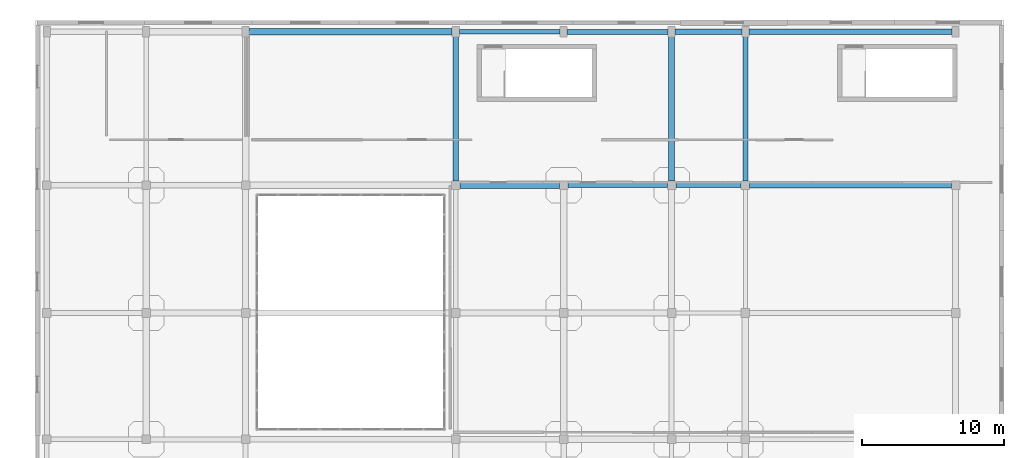
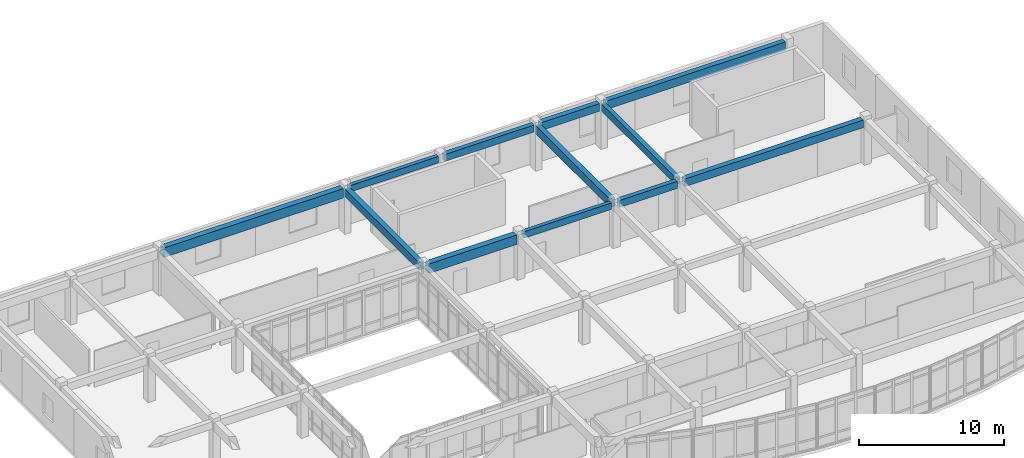
# One storey, part 60 of 91: 12 beams.
"""IFC4 building model written with IfcOpenShell, lengths in metres."""

from ifc_helpers import new_model, si_unit, direction, frame, origin, origin_2d, place, context, subcontext, project, spatial, rectangle, extrude, material, material_profile, profile_set, type_object, element, save


model = new_model("IFC4")

# Units and contexts
model_context = context("Model", 3, precision=1e-05, world=origin(), true_north=direction((0.0, 1.0)))
body_context = subcontext(model_context, "Body", "Model", "MODEL_VIEW")
ifc_project = project(units=[si_unit("LENGTHUNIT", "METRE"), si_unit("AREAUNIT", "SQUARE_METRE"), si_unit("VOLUMEUNIT", "CUBIC_METRE"), si_unit("PLANEANGLEUNIT", "RADIAN"), si_unit("MASSUNIT", "GRAM", prefix="KILO")], contexts=[model_context])

# Site, building, storey
site_placement = place(None, origin())
site = spatial("IfcSite", under=ifc_project, at=site_placement, CompositionType="ELEMENT")
building_placement = place(site_placement, origin())
building = spatial("IfcBuilding", under=site, at=building_placement, Name="Valcora Specialist Clinic", CompositionType="ELEMENT")
storey_placement = place(building_placement, frame((0.0, 0.0, 13.60009765625)))
storey = spatial("IfcBuildingStorey", under=building, at=storey_placement, Name="L03", CompositionType="ELEMENT", Elevation=13.60009765625)

# Beams
ifc_material = material(Name="Concrete C40/50", Category="concrete")
ifc_material_profile_1 = material_profile(ifc_material, rectangle(XDim=0.300048828125, YDim=0.550048828125, at=origin_2d()), Name="RC-BM-300X550")
ifc_profile_set_1 = profile_set([ifc_material_profile_1], Name="Concrete C40/50")
beam_type_1 = type_object("IfcBeamType", Name="TY-BM-RC300X550", PredefinedType="BEAM", material=ifc_profile_set_1)
beam_1_placement = place(storey_placement, frame((98.699951171875, 99.199951171875, 3.5), z_axis=(1.0, 0.0, 0.0), x_axis=(0.0, 1.0, 0.0)))
element("IfcBeam", 1, at=beam_1_placement, inside=storey, type_object=beam_type_1, Name="Beam BM-L03-0793", PredefinedType="BEAM", context=body_context, shape_type="SweptSolid", body=[
    extrude(rectangle(XDim=0.300048828125, YDim=0.550048828125, at=origin_2d()), origin(), (0.0, 0.0, 1.0), 7.0),
])
beam_2_placement = place(storey_placement, frame((91.050048828125, 110.0, 3.5), z_axis=(1.0, 0.0, 0.0), x_axis=(0.0, 1.0, 0.0)))
element("IfcBeam", 2, at=beam_2_placement, inside=storey, type_object=beam_type_1, Name="Beam BM-L03-0799", PredefinedType="BEAM", context=body_context, shape_type="SweptSolid", body=[
    extrude(rectangle(XDim=0.300048828125, YDim=0.550048828125, at=origin_2d()), origin(), (0.0, 0.0, 1.0), 7.099853515625),
])
ifc_material_profile_2 = material_profile(ifc_material, rectangle(XDim=0.35009765625, YDim=0.60009765625, at=origin_2d()), Name="RC-BM-350X600")
ifc_profile_set_2 = profile_set([ifc_material_profile_2], Name="Concrete C40/50")
beam_type_2 = type_object("IfcBeamType", Name="TY-BM-RC350X600", PredefinedType="BEAM", material=ifc_profile_set_2)
beam_3_placement = place(storey_placement, frame((106.300048828125, 99.199951171875, 3.474853515625), z_axis=(1.0, 0.0, 0.0), x_axis=(0.0, 1.0, 0.0)))
element("IfcBeam", 3, at=beam_3_placement, inside=storey, type_object=beam_type_2, Name="Beam BM-L03-0794", PredefinedType="BEAM", context=body_context, shape_type="SweptSolid", body=[
    extrude(rectangle(XDim=0.35009765625, YDim=0.60009765625, at=origin_2d()), origin(), (0.0, 0.0, 1.0), 4.599853515625),
])
beam_4_placement = place(storey_placement, frame((98.64990234375, 110.0, 3.474853515625), z_axis=(1.0, 0.0, 0.0), x_axis=(0.0, 1.0, 0.0)))
element("IfcBeam", 4, at=beam_4_placement, inside=storey, type_object=beam_type_2, Name="Beam BM-L03-0800", PredefinedType="BEAM", context=body_context, shape_type="SweptSolid", body=[
    extrude(rectangle(XDim=0.35009765625, YDim=0.60009765625, at=origin_2d()), origin(), (0.0, 0.0, 1.0), 7.10009765625),
])
beam_5_placement = place(storey_placement, frame((111.199951171875, 99.5, 3.474853515625), z_axis=(0.0, 1.0, 0.0), x_axis=(-1.0, 0.0, 0.0)))
element("IfcBeam", 5, at=beam_5_placement, inside=storey, type_object=beam_type_2, Name="Beam BM-L03-0828", PredefinedType="BEAM", context=body_context, shape_type="SweptSolid", body=[
    extrude(rectangle(XDim=0.35009765625, YDim=0.60009765625, at=origin_2d()), origin(), (0.0, 0.0, 1.0), 10.25),
])
ifc_material_profile_3 = material_profile(ifc_material, rectangle(XDim=0.39990234375, YDim=0.64990234375, at=origin_2d()), Name="RC-BM-400X650")
ifc_profile_set_3 = profile_set([ifc_material_profile_3], Name="Concrete C40/50")
beam_type_3 = type_object("IfcBeamType", Name="TY-BM-RC400X650", PredefinedType="BEAM", material=ifc_profile_set_3)
beam_6_placement = place(storey_placement, frame((111.5, 99.199951171875, 3.449951171875), z_axis=(1.0, 0.0, 0.0), x_axis=(0.0, 1.0, 0.0)))
element("IfcBeam", 6, at=beam_6_placement, inside=storey, type_object=beam_type_3, Name="Beam BM-L03-0795", PredefinedType="BEAM", context=body_context, shape_type="SweptSolid", body=[
    extrude(rectangle(XDim=0.39990234375, YDim=0.64990234375, at=origin_2d()), origin(), (0.0, 0.0, 1.0), 14.199951171875),
])
beam_7_placement = place(storey_placement, frame((106.25, 110.0, 3.449951171875), z_axis=(1.0, 0.0, 0.0), x_axis=(0.0, 1.0, 0.0)))
element("IfcBeam", 7, at=beam_7_placement, inside=storey, type_object=beam_type_3, Name="Beam BM-L03-0801", PredefinedType="BEAM", context=body_context, shape_type="SweptSolid", body=[
    extrude(rectangle(XDim=0.39990234375, YDim=0.64990234375, at=origin_2d()), origin(), (0.0, 0.0, 1.0), 4.699951171875),
])
beam_8_placement = place(storey_placement, frame((90.800048828125, 99.5, 3.449951171875), z_axis=(0.0, 1.0, 0.0), x_axis=(-1.0, 0.0, 0.0)))
element("IfcBeam", 8, at=beam_8_placement, inside=storey, type_object=beam_type_3, Name="Beam BM-L03-0817", PredefinedType="BEAM", context=body_context, shape_type="SweptSolid", body=[
    extrude(rectangle(XDim=0.39990234375, YDim=0.64990234375, at=origin_2d()), origin(), (0.0, 0.0, 1.0), 10.25),
])
ifc_material_profile_4 = material_profile(ifc_material, rectangle(XDim=0.39990234375, YDim=0.699951171875, at=origin_2d()), Name="RC-BM-400X700")
ifc_profile_set_4 = profile_set([ifc_material_profile_4], Name="Concrete C40/50")
beam_type_4 = type_object("IfcBeamType", Name="TY-BM-RC400X700", PredefinedType="BEAM", material=ifc_profile_set_4)
beam_9_placement = place(storey_placement, frame((111.449951171875, 110.0, 3.4248046875), z_axis=(1.0, 0.0, 0.0), x_axis=(0.0, 1.0, 0.0)))
element("IfcBeam", 9, at=beam_9_placement, inside=storey, type_object=beam_type_4, Name="Beam BM-L03-0802", PredefinedType="BEAM", context=body_context, shape_type="SweptSolid", body=[
    extrude(rectangle(XDim=0.39990234375, YDim=0.699951171875, at=origin_2d()), origin(), (0.0, 0.0, 1.0), 14.300048828125),
])
beam_10_placement = place(storey_placement, frame((106.0, 99.5, 3.4248046875), z_axis=(0.0, 1.0, 0.0), x_axis=(-1.0, 0.0, 0.0)))
element("IfcBeam", 10, at=beam_10_placement, inside=storey, type_object=beam_type_4, Name="Beam BM-L03-0824", PredefinedType="BEAM", context=body_context, shape_type="SweptSolid", body=[
    extrude(rectangle(XDim=0.39990234375, YDim=0.699951171875, at=origin_2d()), origin(), (0.0, 0.0, 1.0), 10.25),
])
ifc_material_profile_5 = material_profile(ifc_material, rectangle(XDim=0.449951171875, YDim=0.800048828125, at=origin_2d()), Name="RC-BM-450X800")
ifc_profile_set_5 = profile_set([ifc_material_profile_5], Name="Concrete C40/50")
beam_type_5 = type_object("IfcBeamType", Name="TY-BM-RC450X800", PredefinedType="BEAM", material=ifc_profile_set_5)
beam_11_placement = place(storey_placement, frame((91.10009765625, 99.199951171875, 3.375), z_axis=(1.0, 0.0, 0.0), x_axis=(0.0, 1.0, 0.0)))
element("IfcBeam", 11, at=beam_11_placement, inside=storey, type_object=beam_type_5, Name="Beam BM-L03-0792", PredefinedType="BEAM", context=body_context, shape_type="SweptSolid", body=[
    extrude(rectangle(XDim=0.449951171875, YDim=0.800048828125, at=origin_2d()), origin(), (0.0, 0.0, 1.0), 7.0),
])
beam_12_placement = place(storey_placement, frame((76.25, 110.0, 3.375), z_axis=(1.0, 0.0, 0.0), x_axis=(0.0, 1.0, 0.0)))
element("IfcBeam", 12, at=beam_12_placement, inside=storey, type_object=beam_type_5, Name="Beam BM-L03-0798", PredefinedType="BEAM", context=body_context, shape_type="SweptSolid", body=[
    extrude(rectangle(XDim=0.449951171875, YDim=0.800048828125, at=origin_2d()), origin(), (0.0, 0.0, 1.0), 14.300048828125),
])

save(model, "model.ifc")
